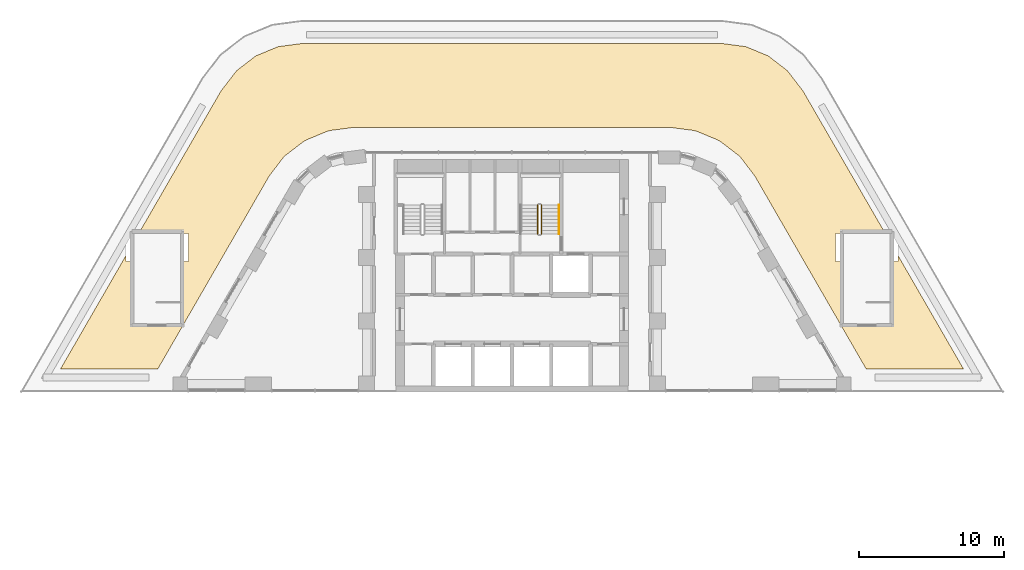
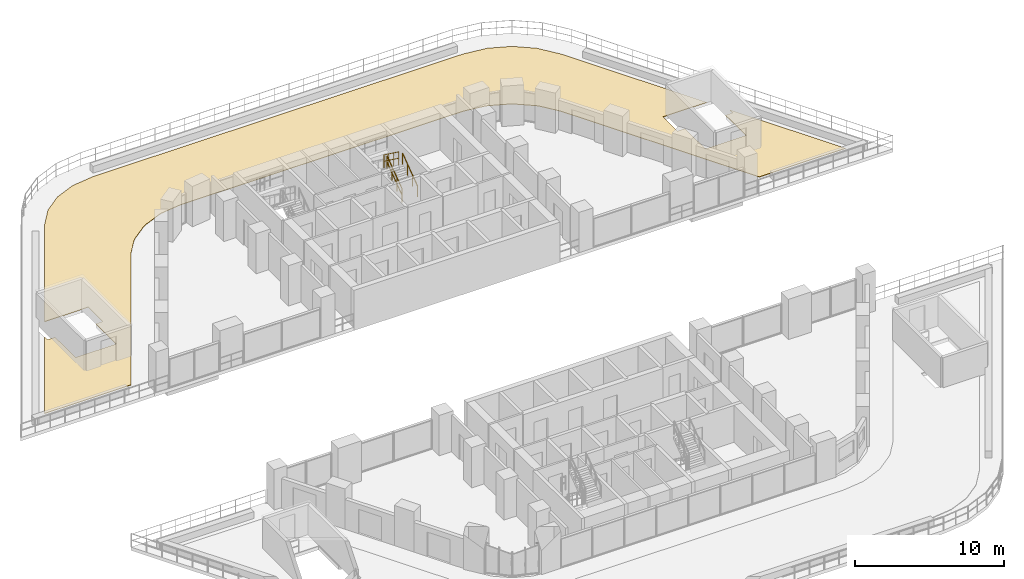
# One storey, part 22 of 24: 3 railings, 1 covering.
"""IFC4 building model written with IfcOpenShell, lengths in metres."""

from ifc_helpers import new_model, si_unit, direction, frame, origin, origin_2d, place, context, subcontext, project, spatial, polyline, circle, outline, extrude, material, layer, layer_set, type_object, element, save


model = new_model("IFC4")

# Units and contexts
model_context = context("Model", 3, precision=1e-05, world=origin(), true_north=direction((0.0, 1.0)))
body_context = subcontext(model_context, "Body", "Model", "MODEL_VIEW")
ifc_project = project(units=[si_unit("LENGTHUNIT", "METRE"), si_unit("AREAUNIT", "SQUARE_METRE"), si_unit("VOLUMEUNIT", "CUBIC_METRE"), si_unit("PLANEANGLEUNIT", "RADIAN"), si_unit("MASSUNIT", "GRAM", prefix="KILO")], contexts=[model_context])

# Site, building, storey
site_placement = place(None, origin())
site = spatial("IfcSite", under=ifc_project, at=site_placement, CompositionType="ELEMENT")
building_placement = place(site_placement, origin())
building = spatial("IfcBuilding", under=site, at=building_placement, Name="Nakaniwa Court", CompositionType="ELEMENT")
storey_placement = place(building_placement, frame((0.0, 0.0, 28.199951171875)))
storey = spatial("IfcBuildingStorey", under=building, at=storey_placement, Name="L06", CompositionType="ELEMENT", Elevation=28.199951171875)

# Covering
ifc_material_1 = material(Name="Black rubber play surfacing")
ifc_layer_1 = layer(ifc_material_1, 0.025, Name="Wet-pour surface")
ifc_material_2 = material(Name="Recycled rubber shock pad")
ifc_layer_2 = layer(ifc_material_2, 0.015, Name="Shock pad")
ifc_layer_set = layer_set([ifc_layer_1, ifc_layer_2], Name="Black rubber play surfacing")
covering_type = type_object("IfcCoveringType", Name="Play surfacing", PredefinedType="FLOORING", material=ifc_layer_set)
covering_placement = place(storey_placement, origin())
element("IfcCovering", 1, at=covering_placement, inside=storey, type_object=covering_type, Name="L06 play deck 2 play surfacing", PredefinedType="FLOORING", context=body_context, shape_type="SweptSolid", body=[
    extrude(outline(polyline([(61.050537109375, 109.515869140625), (62.373046875, 110.530517578125), (63.913330078125, 111.168701171875), (65.671142578125, 111.39990234375), (94.328857421875, 111.39990234375), (96.086669921875, 111.168701171875), (97.626953125, 110.530517578125), (98.949462890625, 109.515869140625), (100.02880859375, 108.109130859375), (105.677734375, 98.324951171875), (102.27490234375, 98.324951171875), (102.27490234375, 96.375), (102.875, 96.375), (102.875, 93.639892578125), (106.02490234375, 93.639892578125), (106.02490234375, 96.375), (106.574951171875, 96.375), (106.574951171875, 96.770751953125), (111.0615234375, 89.0), (104.3642578125, 89.0), (96.7431640625, 102.199951171875), (96.626953125, 102.3740234375), (95.800537109375, 103.450927734375), (95.710693359375, 103.557861328125), (95.612060546875, 103.65673828125), (95.505126953125, 103.746337890625), (94.42822265625, 104.57275390625), (94.31396484375, 104.65283203125), (94.19287109375, 104.722412109375), (94.06640625, 104.781494140625), (92.812255859375, 105.301025390625), (92.68115234375, 105.3486328125), (92.54638671875, 105.384765625), (92.408935546875, 105.4091796875), (91.06298828125, 105.58642578125), (90.854248046875, 105.60009765625), (69.145751953125, 105.60009765625), (68.93701171875, 105.58642578125), (67.591064453125, 105.4091796875), (67.45361328125, 105.384765625), (67.31884765625, 105.3486328125), (67.187744140625, 105.301025390625), (65.93359375, 104.781494140625), (65.80712890625, 104.722412109375), (65.68603515625, 104.65283203125), (65.57177734375, 104.57275390625), (64.494873046875, 103.746337890625), (64.387939453125, 103.65673828125), (64.289306640625, 103.557861328125), (64.199462890625, 103.450927734375), (63.373046875, 102.3740234375), (63.2568359375, 102.199951171875), (55.6357421875, 89.0), (48.9384765625, 89.0), (53.425048828125, 96.770751953125), (53.425048828125, 96.375), (54.02490234375, 96.375), (54.02490234375, 93.639892578125), (57.175048828125, 93.639892578125), (57.175048828125, 96.375), (57.72509765625, 96.375), (57.72509765625, 98.324951171875), (54.322265625, 98.324951171875), (59.97119140625, 108.109130859375), (61.050537109375, 109.515869140625)])), origin(), (0.0, 0.0, 1.0), 0.0400390625),
])

# Railings
ifc_material_3 = material(Name="Black powder coated steel guard", Category="steel")
railing_type_1 = type_object("IfcRailingType", Name="Stair guard 1100", PredefinedType="GUARDRAIL", material=ifc_material_3)
railing_1_placement = place(storey_placement, frame((82.02490234375, 98.27490234375, 0.183349609375)))
element("IfcRailing", 2, at=railing_1_placement, inside=storey, type_object=railing_type_1, Name="L06 ST2 stair guard 1", PredefinedType="GUARDRAIL", context=body_context, shape_type="SweptSolid", body=[
    extrude(circle(Radius=0.02392578125, at=origin_2d()), frame((0.0, 0.0, 1.076171875), z_axis=(0.0, 0.806379959628, 0.591397802423), x_axis=(-1.0, 0.0, 0.0)), (0.0, 0.0, 1.0), 2.480224609375),
    extrude(circle(Radius=0.02392578125, at=origin_2d()), frame((0.0, 0.0, 0.550048828125), z_axis=(0.0, 0.806379959628, 0.591397802423), x_axis=(-1.0, 0.0, 0.0)), (0.0, 0.0, 1.0), 2.480224609375),
    extrude(circle(Radius=0.02099609375, at=origin_2d()), origin(), (0.0, 0.0, 1.0), 1.052001953125),
    extrude(circle(Radius=0.02099609375, at=origin_2d()), frame((0.0, 0.666748046875, 0.489013671875)), (0.0, 0.0, 1.0), 1.052001953125),
    extrude(circle(Radius=0.02099609375, at=origin_2d()), frame((0.0, 1.333251953125, 0.977783203125)), (0.0, 0.0, 1.0), 1.052001953125),
    extrude(circle(Radius=0.02099609375, at=origin_2d()), frame((0.0, 2.0, 1.466796875)), (0.0, 0.0, 1.0), 1.052001953125),
])
railing_2_placement = place(storey_placement, frame((81.77490234375, 100.27490234375, 1.83349609375)))
element("IfcRailing", 3, at=railing_2_placement, inside=storey, type_object=railing_type_1, Name="L06 ST2 stair guard 3", PredefinedType="GUARDRAIL", context=body_context, shape_type="SweptSolid", body=[
    extrude(circle(Radius=0.02392578125, at=origin_2d()), frame((0.0, 0.0, 1.076171875), z_axis=(0.0, -0.806426902644, 0.591333789573), x_axis=(1.0, 0.0, 0.0)), (0.0, 0.0, 1.0), 2.47998046875),
    extrude(circle(Radius=0.02392578125, at=origin_2d()), frame((0.0, 0.0, 0.550048828125), z_axis=(0.0, -0.806426902644, 0.591333789573), x_axis=(1.0, 0.0, 0.0)), (0.0, 0.0, 1.0), 2.47998046875),
    extrude(circle(Radius=0.02099609375, at=origin_2d()), origin(), (0.0, 0.0, 1.0), 1.052001953125),
    extrude(circle(Radius=0.02099609375, at=origin_2d()), frame((0.0, -0.666748046875, 0.48876953125)), (0.0, 0.0, 1.0), 1.052001953125),
    extrude(circle(Radius=0.02099609375, at=origin_2d()), frame((0.0, -1.333251953125, 0.977783203125)), (0.0, 0.0, 1.0), 1.052001953125),
    extrude(circle(Radius=0.02099609375, at=origin_2d()), frame((0.0, -2.0, 1.466552734375)), (0.0, 0.0, 1.0), 1.052001953125),
])
ifc_material_4 = material(Name="Black powder coated steel handrail", Category="steel")
railing_type_2 = type_object("IfcRailingType", Name="Stair handrail 900", PredefinedType="HANDRAIL", material=ifc_material_4)
railing_3_placement = place(storey_placement, frame((83.22509765625, 98.27490234375, 0.183349609375)))
element("IfcRailing", 4, at=railing_3_placement, inside=storey, type_object=railing_type_2, Name="L06 ST2 stair handrail 1", PredefinedType="HANDRAIL", context=body_context, shape_type="SweptSolid", body=[
    extrude(circle(Radius=0.02392578125, at=origin_2d()), frame((0.0, 0.0, 0.8759765625), z_axis=(0.0, 0.806379959628, 0.591397802423), x_axis=(-1.0, 0.0, 0.0)), (0.0, 0.0, 1.0), 2.480224609375),
    extrude(circle(Radius=0.02099609375, at=origin_2d()), origin(), (0.0, 0.0, 1.0), 0.851806640625),
    extrude(circle(Radius=0.02099609375, at=origin_2d()), frame((0.0, 0.666748046875, 0.489013671875)), (0.0, 0.0, 1.0), 0.851806640625),
    extrude(circle(Radius=0.02099609375, at=origin_2d()), frame((0.0, 1.333251953125, 0.977783203125)), (0.0, 0.0, 1.0), 0.851806640625),
    extrude(circle(Radius=0.02099609375, at=origin_2d()), frame((0.0, 2.0, 1.466796875)), (0.0, 0.0, 1.0), 0.851806640625),
])

save(model, "model.ifc")
